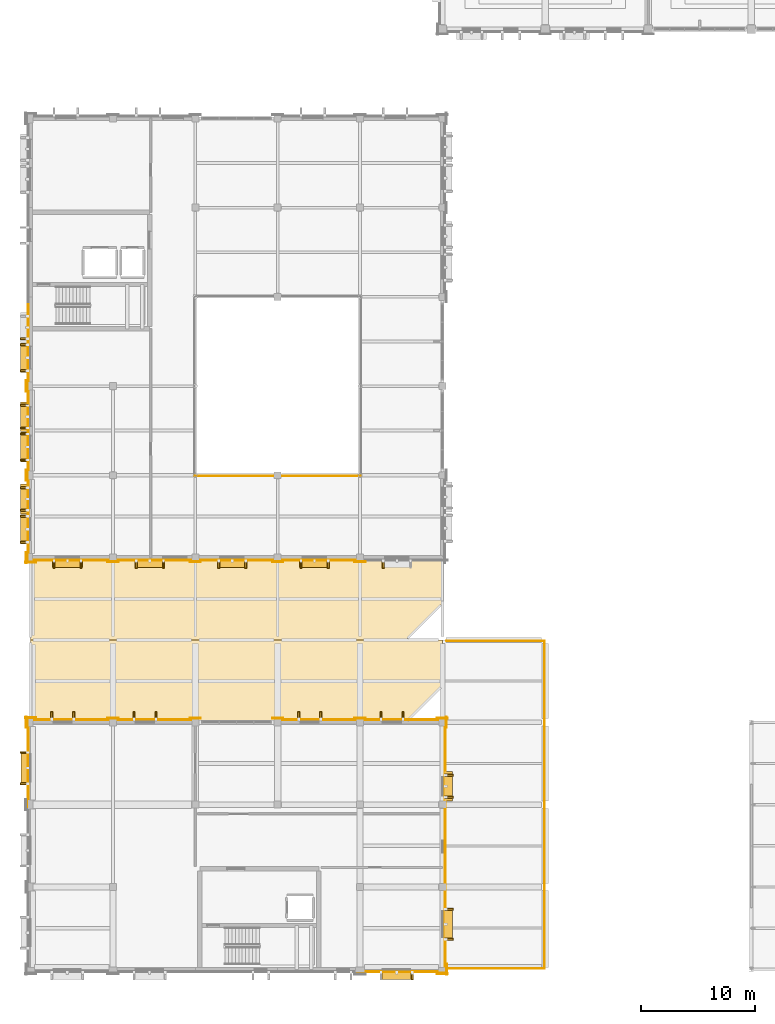
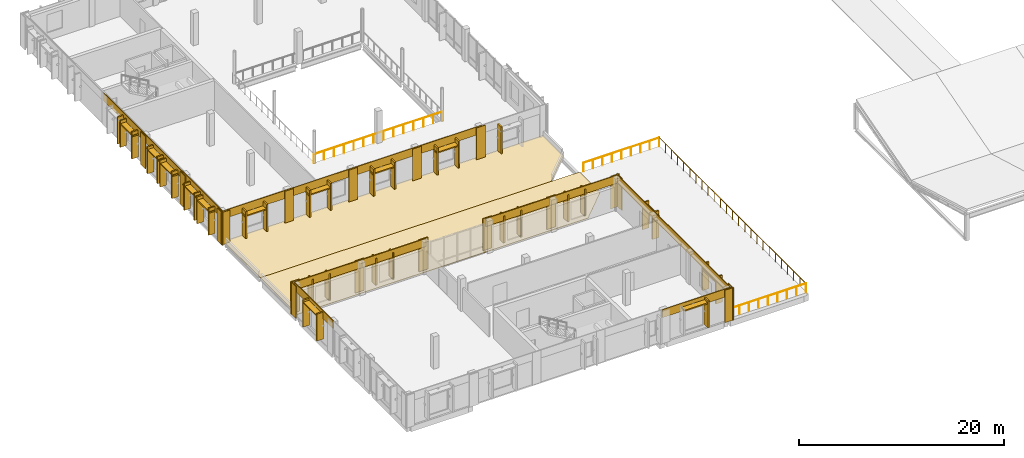
# One storey, part 54 of 64: 48 shading devices, 34 coverings, 4 railings.
"""IFC4 building model written with IfcOpenShell, lengths in metres."""

import ifcopenshell
import ifcopenshell.guid

model = None  # the IFC model being written
_history = None  # IfcOwnerHistory: only IFC2X3 demands one
_inside = {}  # id of a spatial element -> (the spatial element, [elements in it])
_under = {}  # id of a project, library or spatial element -> (it, [spatial elements below it])
_declared = {}  # id of a project -> (the project, [libraries it declares])
_typed = {}  # id of a type object -> (the type object, [elements of that type])
_made_of = {}  # id of a material, layer set ... -> (it, [elements and type objects made of it])


def new_model(schema):
    """Start an empty IFC model of exactly this schema.

    Asked for "IFC4X3", IfcOpenShell would pick the latest addendum, in which some entities
    have other attributes; the version numbers below select the first issue.
    IFC2X3 requires an IfcOwnerHistory on every rooted entity: one is made here for all.
    """
    global model, _history
    if schema == "IFC4X3":
        model = ifcopenshell.file(schema_version=(4, 3, 0, 0))
    else:
        model = ifcopenshell.file(schema=schema)
    _inside.clear()
    _under.clear()
    _declared.clear()
    _typed.clear()
    _made_of.clear()
    _history = None
    if model.schema == "IFC2X3":
        org = make("IfcOrganization", Name="unknown")
        user = make(
            "IfcPersonAndOrganization",
            ThePerson=make("IfcPerson", FamilyName="unknown"),
            TheOrganization=org,
        )
        app = make(
            "IfcApplication",
            ApplicationDeveloper=org,
            Version="unknown",
            ApplicationFullName="unknown",
            ApplicationIdentifier="unknown",
        )
        _history = make(
            "IfcOwnerHistory",
            OwningUser=user,
            OwningApplication=app,
            ChangeAction="ADDED",
            CreationDate=0,
        )
    return model


def make(cls, **values):
    """One entity of the class cls with the attributes given. An attribute that is None is left unset."""
    return model.create_entity(
        cls, **{name: value for name, value in values.items() if value is not None}
    )


def rooted(cls, **values):
    """An entity with a GlobalId (a new one), such as an element, a storey or a relation."""
    return make(cls, GlobalId=ifcopenshell.guid.new(), OwnerHistory=_history, **values)


def si_unit(unit_type, name, prefix=None):
    """IfcSIUnit, for example si_unit("LENGTHUNIT", "METRE", prefix="MILLI")."""
    return make("IfcSIUnit", UnitType=unit_type, Prefix=prefix, Name=name)


def assignment(units):
    """IfcUnitAssignment: the units of a project."""
    return None if units is None else make("IfcUnitAssignment", Units=units)


def point(xyz):
    """IfcCartesianPoint."""
    return None if xyz is None else make("IfcCartesianPoint", Coordinates=xyz)


def direction(xyz):
    """IfcDirection."""
    return None if xyz is None else make("IfcDirection", DirectionRatios=xyz)


def frame(location, z_axis=None, x_axis=None):
    """IfcAxis2Placement3D, a coordinate frame: its origin and axes. An axis left out is left unset."""
    return make(
        "IfcAxis2Placement3D",
        Location=point(location),
        Axis=direction(z_axis),
        RefDirection=direction(x_axis),
    )


def frame_2d(location, x_axis=None):
    """IfcAxis2Placement2D, a coordinate frame in the plane: its origin and x axis."""
    return make(
        "IfcAxis2Placement2D", Location=point(location), RefDirection=direction(x_axis)
    )


def origin():
    """The frame at (0, 0, 0) with its axes left unset."""
    return frame((0.0, 0.0, 0.0))


def origin_2d():
    """The frame at (0, 0) in the plane with its x axis left unset."""
    return frame_2d((0.0, 0.0))


def place(relative_to, where):
    """IfcLocalPlacement: puts the frame where relative to a parent placement (None: the world)."""
    return make(
        "IfcLocalPlacement", PlacementRelTo=relative_to, RelativePlacement=where
    )


def context(
    kind, dimensions, precision=None, world=None, true_north=None, identifier=None
):
    """IfcGeometricRepresentationContext, for example the 3D "Model" context."""
    return make(
        "IfcGeometricRepresentationContext",
        ContextIdentifier=identifier,
        ContextType=kind,
        CoordinateSpaceDimension=dimensions,
        Precision=precision,
        WorldCoordinateSystem=world,
        TrueNorth=true_north,
    )


def subcontext(parent, identifier, kind, view, scale=None):
    """IfcGeometricRepresentationSubContext, for example "Body" below "Model"."""
    return make(
        "IfcGeometricRepresentationSubContext",
        ContextIdentifier=identifier,
        ContextType=kind,
        ParentContext=parent,
        TargetScale=scale,
        TargetView=view,
    )


def project(units=None, contexts=None):
    """IfcProject with its units and contexts."""
    return rooted(
        "IfcProject",
        Name="project",
        RepresentationContexts=contexts,
        UnitsInContext=assignment(units),
    )


def spatial(cls, under=None, at=None, **own):
    """A site, building, storey or space (cls), placed at a placement, below another one or the project."""
    s = rooted(cls, ObjectPlacement=at, **own)
    if under is not None:
        _under.setdefault(under.id(), (under, []))[1].append(s)
    return s


def polyline(points):
    """IfcPolyline through the points."""
    return make("IfcPolyline", Points=[point(p) for p in points])


def profile(cls, at=None, kind="AREA", **sizes):
    """A parametric profile (cls). Its sizes go by their IFC names, for example OverallWidth=200.0."""
    return make(cls, ProfileType=kind, Position=at, **sizes)


def rectangle(**sizes):
    """IfcRectangleProfileDef."""
    return profile("IfcRectangleProfileDef", **sizes)


def circle(**sizes):
    """IfcCircleProfileDef."""
    return profile("IfcCircleProfileDef", **sizes)


def outline(outer, holes=None, kind="AREA"):
    """IfcArbitraryClosedProfileDef: a profile drawn as a closed curve; with holes, ...WithVoids."""
    if holes is None:
        return make("IfcArbitraryClosedProfileDef", ProfileType=kind, OuterCurve=outer)
    return make(
        "IfcArbitraryProfileDefWithVoids",
        ProfileType=kind,
        OuterCurve=outer,
        InnerCurves=holes,
    )


def extrude(swept, where, along, depth):
    """IfcExtrudedAreaSolid: the profile swept, set in the frame where, extruded along a direction by depth."""
    return make(
        "IfcExtrudedAreaSolid",
        SweptArea=swept,
        Position=where,
        ExtrudedDirection=direction(along),
        Depth=depth,
    )


def shape(context_of_items, identifier, shape_type, items):
    """IfcShapeRepresentation: the items that make up one representation, for example the "Body"."""
    return make(
        "IfcShapeRepresentation",
        ContextOfItems=context_of_items,
        RepresentationIdentifier=identifier,
        RepresentationType=shape_type,
        Items=items,
    )


def material(Name=None, Category=None):
    """IfcMaterial."""
    return make("IfcMaterial", Name=Name, Category=Category)


def layer(
    of_material, thickness, ventilated=None, Name=None, Category=None, Priority=None
):
    """IfcMaterialLayer: one layer of a wall or slab, of a material (None: an air gap)."""
    return make(
        "IfcMaterialLayer",
        Material=of_material,
        LayerThickness=thickness,
        IsVentilated=ventilated,
        Name=Name,
        Category=Category,
        Priority=Priority,
    )


def layer_set(layers, Name=None):
    """IfcMaterialLayerSet."""
    return make("IfcMaterialLayerSet", MaterialLayers=layers, LayerSetName=Name)


def made_of(thing, what):
    """Note that an element or type object is made of a material, layer set ...; save() writes the relation."""
    if what is not None:
        _made_of.setdefault(what.id(), (what, []))[1].append(thing)
    return thing


def type_object(cls, material=None, **own):
    """A type object (cls), such as IfcWallType, which elements share."""
    return made_of(rooted(cls, **own), material)


def element(
    cls,
    number,
    at=None,
    inside=None,
    cuts=None,
    type_object=None,
    material=None,
    context=None,
    identifier="Body",
    shape_type=None,
    held_by="IfcProductDefinitionShape",
    body=None,
    shapes=None,
    **own,
):
    """One element of the class cls, such as IfcWall. Its Tag is "e" and its number.

    at: its placement. inside: the storey or other place that contains it. cuts: it is an
    opening in that element (IfcRelVoidsElement). A single representation is given by context,
    identifier, shape_type and body (its items); several are given by shapes. held_by: the class
    of the entity that holds the representations. save() writes the other relations.
    """
    e = rooted(cls, Tag="e%d" % number, ObjectPlacement=at, **own)
    if body is not None:
        shapes = [shape(context, identifier, shape_type, body)]
    if shapes is not None:
        e.Representation = make(held_by, Representations=shapes)
    if inside is not None:
        _inside.setdefault(inside.id(), (inside, []))[1].append(e)
    if cuts is not None:
        rooted(
            "IfcRelVoidsElement", RelatingBuildingElement=cuts, RelatedOpeningElement=e
        )
    if type_object is not None:
        _typed.setdefault(type_object.id(), (type_object, []))[1].append(e)
    return made_of(e, material)


def aggregate(whole, parts):
    """IfcRelAggregates: a whole, such as a stair, and the parts it consists of."""
    return rooted("IfcRelAggregates", RelatingObject=whole, RelatedObjects=parts)


def save(model, path):
    """Write the relations noted so far, then the file.

    IfcRelAggregates (storeys below a building ...), IfcRelContainedInSpatialStructure (elements
    in a storey), IfcRelDefinesByType, IfcRelAssociatesMaterial and IfcRelDeclares: one each for
    every whole, place, type object, material and project.
    """
    for whole, parts in _under.values():
        aggregate(whole, parts)
    for where, things in _inside.values():
        rooted(
            "IfcRelContainedInSpatialStructure",
            RelatedElements=things,
            RelatingStructure=where,
        )
    for kind, things in _typed.values():
        rooted("IfcRelDefinesByType", RelatedObjects=things, RelatingType=kind)
    for what, things in _made_of.values():
        rooted("IfcRelAssociatesMaterial", RelatedObjects=things, RelatingMaterial=what)
    for by, libraries in _declared.values():
        rooted("IfcRelDeclares", RelatingContext=by, RelatedDefinitions=libraries)
    model.write(path)


model = new_model("IFC4")

# Units and contexts
model_context = context("Model", 3, precision=1e-05, world=origin(), true_north=direction((0.0, 1.0)))
body_context = subcontext(model_context, "Body", "Model", "MODEL_VIEW")
ifc_project = project(units=[si_unit("LENGTHUNIT", "METRE"), si_unit("AREAUNIT", "SQUARE_METRE"), si_unit("VOLUMEUNIT", "CUBIC_METRE"), si_unit("PLANEANGLEUNIT", "RADIAN"), si_unit("MASSUNIT", "GRAM", prefix="KILO")], contexts=[model_context])

# Site, building, storey
site_placement = place(None, origin())
site = spatial("IfcSite", under=ifc_project, at=site_placement, CompositionType="ELEMENT")
building_placement = place(site_placement, origin())
building = spatial("IfcBuilding", under=site, at=building_placement, Name="Vervanel Yard Central Library", CompositionType="ELEMENT")
storey_placement = place(building_placement, frame((0.0, 0.0, 8.93994140625)))
storey = spatial("IfcBuildingStorey", under=building, at=storey_placement, Name="L02", CompositionType="ELEMENT", Elevation=8.93994140625)

# Coverings
ifc_material_1 = material(Name="Precast concrete C45/55", Category="concrete")
ifc_layer_1 = layer(ifc_material_1, 0.0849609375, Category="concrete")
ifc_layer_set_1 = layer_set([ifc_layer_1], Name="Precast concrete C45/55")
covering_type_1 = type_object("IfcCoveringType", Name="Bush-Hammered Precast Architectural Cladding Panel", PredefinedType="CLADDING", material=ifc_layer_set_1)
covering_1_placement = place(storey_placement, frame((-0.2099609375, 39.60009765625, 2.91015625), z_axis=(0.0, 0.0, 1.0), x_axis=(0.0, 1.0, 0.0)))
element("IfcCovering", 1, at=covering_1_placement, inside=storey, type_object=covering_type_1, Name="L02 Precast Concrete Spandrel Cornice EWALL-L02-0112", PredefinedType="CLADDING", context=body_context, shape_type="SweptSolid", body=[
    extrude(rectangle(XDim=7.64990234375, YDim=0.0849609375, at=origin_2d()), origin(), (0.0, 0.0, 1.0), 0.949951171875),
])
for number, where, z_axis, x_axis, name in (
    (2, (-0.392578125, 36.0, 0.0), (0.0, 0.0, 1.0), (0.0, 1.0, 0.0), "L02 Precast Concrete Pier Pilaster EWALL-L02-0112-A"),
    (3, (-0.402587890625, 43.199951171875, 0.0), (0.0, 0.0, 1.0), (0.0, 1.0, 0.0), "L02 Precast Concrete Pier Pilaster EWALL-L02-0112-B"),
):
    element("IfcCovering", number, at=place(storey_placement, frame(where, z_axis=z_axis, x_axis=x_axis)), inside=storey, type_object=covering_type_1, Name=name, PredefinedType="CLADDING", context=body_context, shape_type="SweptSolid", body=[
        extrude(rectangle(XDim=0.97998046875, YDim=0.0849609375, at=origin_2d()), origin(), (0.0, 0.0, 1.0), 3.860107421875),
    ])
covering_2_placement = place(storey_placement, frame((-0.2099609375, 47.10009765625, 2.91015625), z_axis=(0.0, 0.0, 1.0), x_axis=(0.0, 1.0, 0.0)))
element("IfcCovering", 4, at=covering_2_placement, inside=storey, type_object=covering_type_1, Name="L02 Precast Concrete Spandrel Cornice EWALL-L02-0113", PredefinedType="CLADDING", context=body_context, shape_type="SweptSolid", body=[
    extrude(rectangle(XDim=8.25, YDim=0.0849609375, at=origin_2d()), origin(), (0.0, 0.0, 1.0), 0.949951171875),
])
covering_3_placement = place(storey_placement, frame((-0.392578125, 51.0, 0.0), z_axis=(0.0, 0.0, 1.0), x_axis=(0.0, 1.0, 0.0)))
element("IfcCovering", 5, at=covering_3_placement, inside=storey, type_object=covering_type_1, Name="L02 Precast Concrete Pier Pilaster EWALL-L02-0113-B", PredefinedType="CLADDING", context=body_context, shape_type="SweptSolid", body=[
    extrude(rectangle(XDim=0.97998046875, YDim=0.0849609375, at=origin_2d()), origin(), (0.0, 0.0, 1.0), 3.860107421875),
])
covering_4_placement = place(storey_placement, frame((-0.2099609375, 54.89990234375, 2.91015625), z_axis=(0.0, 0.0, 1.0), x_axis=(0.0, 1.0, 0.0)))
element("IfcCovering", 6, at=covering_4_placement, inside=storey, type_object=covering_type_1, Name="L02 Precast Concrete Spandrel Cornice EWALL-L02-0114", PredefinedType="CLADDING", context=body_context, shape_type="SweptSolid", body=[
    extrude(rectangle(XDim=8.25, YDim=0.0849609375, at=origin_2d()), origin(), (0.0, 0.0, 1.0), 0.949951171875),
])
covering_5_placement = place(storey_placement, frame((3.60009765625, 35.7900390625, 2.91015625), z_axis=(0.0, 0.0, 1.0), x_axis=(1.0, 0.0, 0.0)))
element("IfcCovering", 7, at=covering_5_placement, inside=storey, type_object=covering_type_1, Name="L02 Precast Concrete Spandrel Cornice EWALL-L02-0121", PredefinedType="CLADDING", context=body_context, shape_type="SweptSolid", body=[
    extrude(rectangle(XDim=7.64990234375, YDim=0.0849609375, at=origin_2d()), origin(), (0.0, 0.0, 1.0), 0.949951171875),
])
for number, where, z_axis, x_axis, name in (
    (8, (0.0, 35.607421875, 0.0), (0.0, 0.0, 1.0), (1.0, 0.0, 0.0), "L02 Precast Concrete Pier Pilaster EWALL-L02-0121-A"),
    (9, (7.199951171875, 35.657470703125, 0.0), (0.0, 0.0, 1.0), (1.0, 0.0, 0.0), "L02 Precast Concrete Pier Pilaster EWALL-L02-0121-B"),
):
    element("IfcCovering", number, at=place(storey_placement, frame(where, z_axis=z_axis, x_axis=x_axis)), inside=storey, type_object=covering_type_1, Name=name, PredefinedType="CLADDING", context=body_context, shape_type="SweptSolid", body=[
        extrude(rectangle(XDim=0.97998046875, YDim=0.0849609375, at=origin_2d()), origin(), (0.0, 0.0, 1.0), 3.860107421875),
    ])
covering_6_placement = place(storey_placement, frame((10.800048828125, 35.7900390625, 2.91015625), z_axis=(0.0, 0.0, 1.0), x_axis=(1.0, 0.0, 0.0)))
element("IfcCovering", 10, at=covering_6_placement, inside=storey, type_object=covering_type_1, Name="L02 Precast Concrete Spandrel Cornice EWALL-L02-0123", PredefinedType="CLADDING", context=body_context, shape_type="SweptSolid", body=[
    extrude(rectangle(XDim=7.64990234375, YDim=0.0849609375, at=origin_2d()), origin(), (0.0, 0.0, 1.0), 0.949951171875),
])
covering_7_placement = place(storey_placement, frame((14.39990234375, 35.657470703125, 0.0), z_axis=(0.0, 0.0, 1.0), x_axis=(1.0, 0.0, 0.0)))
element("IfcCovering", 11, at=covering_7_placement, inside=storey, type_object=covering_type_1, Name="L02 Precast Concrete Pier Pilaster EWALL-L02-0123-B", PredefinedType="CLADDING", context=body_context, shape_type="SweptSolid", body=[
    extrude(rectangle(XDim=0.97998046875, YDim=0.0849609375, at=origin_2d()), origin(), (0.0, 0.0, 1.0), 3.860107421875),
])
covering_8_placement = place(storey_placement, frame((18.0, 35.7900390625, 2.91015625), z_axis=(0.0, 0.0, 1.0), x_axis=(1.0, 0.0, 0.0)))
element("IfcCovering", 12, at=covering_8_placement, inside=storey, type_object=covering_type_1, Name="L02 Precast Concrete Spandrel Cornice EWALL-L02-0124", PredefinedType="CLADDING", context=body_context, shape_type="SweptSolid", body=[
    extrude(rectangle(XDim=7.64990234375, YDim=0.0849609375, at=origin_2d()), origin(), (0.0, 0.0, 1.0), 0.949951171875),
])
covering_9_placement = place(storey_placement, frame((21.60009765625, 35.657470703125, 0.0), z_axis=(0.0, 0.0, 1.0), x_axis=(1.0, 0.0, 0.0)))
element("IfcCovering", 13, at=covering_9_placement, inside=storey, type_object=covering_type_1, Name="L02 Precast Concrete Pier Pilaster EWALL-L02-0124-B", PredefinedType="CLADDING", context=body_context, shape_type="SweptSolid", body=[
    extrude(rectangle(XDim=0.97998046875, YDim=0.0849609375, at=origin_2d()), origin(), (0.0, 0.0, 1.0), 3.860107421875),
])
covering_10_placement = place(storey_placement, frame((25.199951171875, 35.7900390625, 2.91015625), z_axis=(0.0, 0.0, 1.0), x_axis=(1.0, 0.0, 0.0)))
element("IfcCovering", 14, at=covering_10_placement, inside=storey, type_object=covering_type_1, Name="L02 Precast Concrete Spandrel Cornice EWALL-L02-0126", PredefinedType="CLADDING", context=body_context, shape_type="SweptSolid", body=[
    extrude(rectangle(XDim=7.64990234375, YDim=0.0849609375, at=origin_2d()), origin(), (0.0, 0.0, 1.0), 0.949951171875),
])
covering_11_placement = place(storey_placement, frame((28.800048828125, 35.657470703125, 0.0), z_axis=(0.0, 0.0, 1.0), x_axis=(1.0, 0.0, 0.0)))
element("IfcCovering", 15, at=covering_11_placement, inside=storey, type_object=covering_type_1, Name="L02 Precast Concrete Pier Pilaster EWALL-L02-0126-B", PredefinedType="CLADDING", context=body_context, shape_type="SweptSolid", body=[
    extrude(rectangle(XDim=0.97998046875, YDim=0.0849609375, at=origin_2d()), origin(), (0.0, 0.0, 1.0), 3.860107421875),
])
covering_12_placement = place(storey_placement, frame((32.39990234375, -0.2099609375, 2.91015625), z_axis=(0.0, 0.0, 1.0), x_axis=(1.0, 0.0, 0.0)))
element("IfcCovering", 16, at=covering_12_placement, inside=storey, type_object=covering_type_1, Name="L02 Precast Concrete Spandrel Cornice EWALL-L02-0237", PredefinedType="CLADDING", context=body_context, shape_type="SweptSolid", body=[
    extrude(rectangle(XDim=7.64990234375, YDim=0.0849609375, at=origin_2d()), origin(), (0.0, 0.0, 1.0), 0.949951171875),
])
covering_13_placement = place(storey_placement, frame((36.0, -0.392578125, 0.0), z_axis=(0.0, 0.0, 1.0), x_axis=(1.0, 0.0, 0.0)))
element("IfcCovering", 17, at=covering_13_placement, inside=storey, type_object=covering_type_1, Name="L02 Precast Concrete Pier Pilaster EWALL-L02-0237-B", PredefinedType="CLADDING", context=body_context, shape_type="SweptSolid", body=[
    extrude(rectangle(XDim=0.97998046875, YDim=0.0849609375, at=origin_2d()), origin(), (0.0, 0.0, 1.0), 3.860107421875),
])
covering_14_placement = place(storey_placement, frame((-0.18994140625, 18.0, 2.91015625), z_axis=(0.0, 0.0, 1.0), x_axis=(0.0, 1.0, 0.0)))
element("IfcCovering", 18, at=covering_14_placement, inside=storey, type_object=covering_type_1, Name="L02 Precast Concrete Spandrel Cornice EWALL-L02-0240", PredefinedType="CLADDING", context=body_context, shape_type="SweptSolid", body=[
    extrude(rectangle(XDim=7.64990234375, YDim=0.0849609375, at=origin_2d()), origin(), (0.0, 0.0, 1.0), 0.949951171875),
])
covering_15_placement = place(storey_placement, frame((-0.402587890625, 21.60009765625, 0.0), z_axis=(0.0, 0.0, 1.0), x_axis=(0.0, 1.0, 0.0)))
element("IfcCovering", 19, at=covering_15_placement, inside=storey, type_object=covering_type_1, Name="L02 Precast Concrete Pier Pilaster EWALL-L02-0240-B", PredefinedType="CLADDING", context=body_context, shape_type="SweptSolid", body=[
    extrude(rectangle(XDim=0.97998046875, YDim=0.0849609375, at=origin_2d()), origin(), (0.0, 0.0, 1.0), 3.860107421875),
])
covering_16_placement = place(storey_placement, frame((36.239990234375, 10.800048828125, 2.91015625), z_axis=(0.0, 0.0, 1.0), x_axis=(0.0, 1.0, 0.0)))
element("IfcCovering", 20, at=covering_16_placement, inside=storey, type_object=covering_type_1, Name="L02 Precast Concrete Spandrel Cornice EWALL-L02-0241", PredefinedType="CLADDING", context=body_context, shape_type="SweptSolid", body=[
    extrude(rectangle(XDim=22.050048828125, YDim=0.0849609375, at=origin_2d()), origin(), (0.0, 0.0, 1.0), 0.949951171875),
])
for number, where, z_axis, x_axis, name in (
    (21, (36.392578125, 0.0, 0.0), (0.0, 0.0, 1.0), (0.0, 1.0, 0.0), "L02 Precast Concrete Pier Pilaster EWALL-L02-0241-A"),
    (22, (36.342529296875, 21.60009765625, 0.0), (0.0, 0.0, 1.0), (0.0, 1.0, 0.0), "L02 Precast Concrete Pier Pilaster EWALL-L02-0241-B"),
):
    element("IfcCovering", number, at=place(storey_placement, frame(where, z_axis=z_axis, x_axis=x_axis)), inside=storey, type_object=covering_type_1, Name=name, PredefinedType="CLADDING", context=body_context, shape_type="SweptSolid", body=[
        extrude(rectangle(XDim=0.97998046875, YDim=0.0849609375, at=origin_2d()), origin(), (0.0, 0.0, 1.0), 3.860107421875),
    ])
covering_17_placement = place(storey_placement, frame((3.60009765625, 21.840087890625, 2.91015625), z_axis=(0.0, 0.0, 1.0), x_axis=(1.0, 0.0, 0.0)))
element("IfcCovering", 23, at=covering_17_placement, inside=storey, type_object=covering_type_1, Name="L02 Precast Concrete Spandrel Cornice EWALL-L02-0242", PredefinedType="CLADDING", context=body_context, shape_type="SweptSolid", body=[
    extrude(rectangle(XDim=7.64990234375, YDim=0.0849609375, at=origin_2d()), origin(), (0.0, 0.0, 1.0), 0.949951171875),
])
for number, where, z_axis, x_axis, name in (
    (24, (0.0, 22.00244140625, 0.0), (0.0, 0.0, 1.0), (1.0, 0.0, 0.0), "L02 Precast Concrete Pier Pilaster EWALL-L02-0242-A"),
    (25, (7.199951171875, 21.9423828125, 0.0), (0.0, 0.0, 1.0), (1.0, 0.0, 0.0), "L02 Precast Concrete Pier Pilaster EWALL-L02-0242-B"),
):
    element("IfcCovering", number, at=place(storey_placement, frame(where, z_axis=z_axis, x_axis=x_axis)), inside=storey, type_object=covering_type_1, Name=name, PredefinedType="CLADDING", context=body_context, shape_type="SweptSolid", body=[
        extrude(rectangle(XDim=0.97998046875, YDim=0.0849609375, at=origin_2d()), origin(), (0.0, 0.0, 1.0), 3.860107421875),
    ])
covering_18_placement = place(storey_placement, frame((10.800048828125, 21.840087890625, 2.91015625), z_axis=(0.0, 0.0, 1.0), x_axis=(1.0, 0.0, 0.0)))
element("IfcCovering", 26, at=covering_18_placement, inside=storey, type_object=covering_type_1, Name="L02 Precast Concrete Spandrel Cornice EWALL-L02-0243", PredefinedType="CLADDING", context=body_context, shape_type="SweptSolid", body=[
    extrude(rectangle(XDim=7.64990234375, YDim=0.0849609375, at=origin_2d()), origin(), (0.0, 0.0, 1.0), 0.949951171875),
])
covering_19_placement = place(storey_placement, frame((14.39990234375, 21.9423828125, 0.0), z_axis=(0.0, 0.0, 1.0), x_axis=(1.0, 0.0, 0.0)))
element("IfcCovering", 27, at=covering_19_placement, inside=storey, type_object=covering_type_1, Name="L02 Precast Concrete Pier Pilaster EWALL-L02-0243-B", PredefinedType="CLADDING", context=body_context, shape_type="SweptSolid", body=[
    extrude(rectangle(XDim=0.97998046875, YDim=0.0849609375, at=origin_2d()), origin(), (0.0, 0.0, 1.0), 3.860107421875),
])
covering_20_placement = place(storey_placement, frame((25.199951171875, 21.840087890625, 2.91015625), z_axis=(0.0, 0.0, 1.0), x_axis=(1.0, 0.0, 0.0)))
element("IfcCovering", 28, at=covering_20_placement, inside=storey, type_object=covering_type_1, Name="L02 Precast Concrete Spandrel Cornice EWALL-L02-0244", PredefinedType="CLADDING", context=body_context, shape_type="SweptSolid", body=[
    extrude(rectangle(XDim=7.64990234375, YDim=0.0849609375, at=origin_2d()), origin(), (0.0, 0.0, 1.0), 0.949951171875),
])
for number, where, z_axis, x_axis, name in (
    (29, (21.60009765625, 21.9423828125, 0.0), (0.0, 0.0, 1.0), (1.0, 0.0, 0.0), "L02 Precast Concrete Pier Pilaster EWALL-L02-0244-A"),
    (30, (28.800048828125, 21.9423828125, 0.0), (0.0, 0.0, 1.0), (1.0, 0.0, 0.0), "L02 Precast Concrete Pier Pilaster EWALL-L02-0244-B"),
):
    element("IfcCovering", number, at=place(storey_placement, frame(where, z_axis=z_axis, x_axis=x_axis)), inside=storey, type_object=covering_type_1, Name=name, PredefinedType="CLADDING", context=body_context, shape_type="SweptSolid", body=[
        extrude(rectangle(XDim=0.97998046875, YDim=0.0849609375, at=origin_2d()), origin(), (0.0, 0.0, 1.0), 3.860107421875),
    ])
covering_21_placement = place(storey_placement, frame((32.39990234375, 21.840087890625, 2.91015625), z_axis=(0.0, 0.0, 1.0), x_axis=(1.0, 0.0, 0.0)))
element("IfcCovering", 31, at=covering_21_placement, inside=storey, type_object=covering_type_1, Name="L02 Precast Concrete Spandrel Cornice EWALL-L02-0245", PredefinedType="CLADDING", context=body_context, shape_type="SweptSolid", body=[
    extrude(rectangle(XDim=7.64990234375, YDim=0.0849609375, at=origin_2d()), origin(), (0.0, 0.0, 1.0), 0.949951171875),
])
covering_22_placement = place(storey_placement, frame((36.0, 21.9423828125, 0.0), z_axis=(0.0, 0.0, 1.0), x_axis=(1.0, 0.0, 0.0)))
element("IfcCovering", 32, at=covering_22_placement, inside=storey, type_object=covering_type_1, Name="L02 Precast Concrete Pier Pilaster EWALL-L02-0245-B", PredefinedType="CLADDING", context=body_context, shape_type="SweptSolid", body=[
    extrude(rectangle(XDim=0.97998046875, YDim=0.0849609375, at=origin_2d()), origin(), (0.0, 0.0, 1.0), 3.860107421875),
])

# Railings
ifc_material_2 = material(Name="Brushed stainless steel AISI 316", Category="steel")
railing_type_1 = type_object("IfcRailingType", Name="Exterior Terrace Guardrail 1100", PredefinedType="GUARDRAIL", material=ifc_material_2)
railing_1_placement = place(storey_placement, frame((36.3798828125, 0.080078125, 0.0)))
element("IfcRailing", 33, at=railing_1_placement, inside=storey, type_object=railing_type_1, Name="L02 L02 Southwest Planted Reading Roof Terrace Edge Guard 21", PredefinedType="GUARDRAIL", context=body_context, shape_type="SweptSolid", body=[
    extrude(circle(Radius=0.02392578125, at=origin_2d()), frame((0.0, 0.0, 1.076171875), z_axis=(1.0, 0.0, 0.0), x_axis=(0.0, 1.0, 0.0)), (0.0, 0.0, 1.0), 8.5400390625),
    extrude(circle(Radius=0.02099609375, at=origin_2d()), origin(), (0.0, 0.0, 1.0), 1.052001953125),
    extrude(circle(Radius=0.02099609375, at=origin_2d()), frame((1.0673828125, 0.0, 0.0)), (0.0, 0.0, 1.0), 1.052001953125),
    extrude(circle(Radius=0.02099609375, at=origin_2d()), frame((2.135009765625, 0.0, 0.0)), (0.0, 0.0, 1.0), 1.052001953125),
    extrude(circle(Radius=0.02099609375, at=origin_2d()), frame((3.20263671875, 0.0, 0.0)), (0.0, 0.0, 1.0), 1.052001953125),
    extrude(circle(Radius=0.02099609375, at=origin_2d()), frame((4.27001953125, 0.0, 0.0)), (0.0, 0.0, 1.0), 1.052001953125),
    extrude(circle(Radius=0.02099609375, at=origin_2d()), frame((5.33740234375, 0.0, 0.0)), (0.0, 0.0, 1.0), 1.052001953125),
    extrude(circle(Radius=0.02099609375, at=origin_2d()), frame((6.405029296875, 0.0, 0.0)), (0.0, 0.0, 1.0), 1.052001953125),
    extrude(circle(Radius=0.02099609375, at=origin_2d()), frame((7.47265625, 0.0, 0.0)), (0.0, 0.0, 1.0), 1.052001953125),
    extrude(circle(Radius=0.02099609375, at=origin_2d()), frame((8.5400390625, 0.0, 0.0)), (0.0, 0.0, 1.0), 1.052001953125),
])
railing_2_placement = place(storey_placement, frame((44.919921875, 0.080078125, 0.0)))
element("IfcRailing", 34, at=railing_2_placement, inside=storey, type_object=railing_type_1, Name="L02 L02 Southwest Planted Reading Roof Terrace Edge Guard 22", PredefinedType="GUARDRAIL", context=body_context, shape_type="SweptSolid", body=[
    extrude(circle(Radius=0.02392578125, at=origin_2d()), frame((0.0, 0.0, 1.076171875), z_axis=(0.0, 1.0, 0.0), x_axis=(-1.0, 0.0, 0.0)), (0.0, 0.0, 1.0), 28.639892578125),
    extrude(circle(Radius=0.02099609375, at=origin_2d()), origin(), (0.0, 0.0, 1.0), 1.052001953125),
    extrude(circle(Radius=0.02099609375, at=origin_2d()), frame((0.0, 1.193359375, 0.0)), (0.0, 0.0, 1.0), 1.052001953125),
    extrude(circle(Radius=0.02099609375, at=origin_2d()), frame((0.0, 2.38671875, 0.0)), (0.0, 0.0, 1.0), 1.052001953125),
    extrude(circle(Radius=0.02099609375, at=origin_2d()), frame((0.0, 3.580078125, 0.0)), (0.0, 0.0, 1.0), 1.052001953125),
    extrude(circle(Radius=0.02099609375, at=origin_2d()), frame((0.0, 4.7734375, 0.0)), (0.0, 0.0, 1.0), 1.052001953125),
    extrude(circle(Radius=0.02099609375, at=origin_2d()), frame((0.0, 5.966552734375, 0.0)), (0.0, 0.0, 1.0), 1.052001953125),
    extrude(circle(Radius=0.02099609375, at=origin_2d()), frame((0.0, 7.159912109375, 0.0)), (0.0, 0.0, 1.0), 1.052001953125),
    extrude(circle(Radius=0.02099609375, at=origin_2d()), frame((0.0, 8.353271484375, 0.0)), (0.0, 0.0, 1.0), 1.052001953125),
    extrude(circle(Radius=0.02099609375, at=origin_2d()), frame((0.0, 9.546630859375, 0.0)), (0.0, 0.0, 1.0), 1.052001953125),
    extrude(circle(Radius=0.02099609375, at=origin_2d()), frame((0.0, 10.739990234375, 0.0)), (0.0, 0.0, 1.0), 1.052001953125),
    extrude(circle(Radius=0.02099609375, at=origin_2d()), frame((0.0, 11.933349609375, 0.0)), (0.0, 0.0, 1.0), 1.052001953125),
    extrude(circle(Radius=0.02099609375, at=origin_2d()), frame((0.0, 13.126708984375, 0.0)), (0.0, 0.0, 1.0), 1.052001953125),
    extrude(circle(Radius=0.02099609375, at=origin_2d()), frame((0.0, 14.31982421875, 0.0)), (0.0, 0.0, 1.0), 1.052001953125),
    extrude(circle(Radius=0.02099609375, at=origin_2d()), frame((0.0, 15.51318359375, 0.0)), (0.0, 0.0, 1.0), 1.052001953125),
    extrude(circle(Radius=0.02099609375, at=origin_2d()), frame((0.0, 16.70654296875, 0.0)), (0.0, 0.0, 1.0), 1.052001953125),
    extrude(circle(Radius=0.02099609375, at=origin_2d()), frame((0.0, 17.89990234375, 0.0)), (0.0, 0.0, 1.0), 1.052001953125),
    extrude(circle(Radius=0.02099609375, at=origin_2d()), frame((0.0, 19.09326171875, 0.0)), (0.0, 0.0, 1.0), 1.052001953125),
    extrude(circle(Radius=0.02099609375, at=origin_2d()), frame((0.0, 20.28662109375, 0.0)), (0.0, 0.0, 1.0), 1.052001953125),
    extrude(circle(Radius=0.02099609375, at=origin_2d()), frame((0.0, 21.47998046875, 0.0)), (0.0, 0.0, 1.0), 1.052001953125),
    extrude(circle(Radius=0.02099609375, at=origin_2d()), frame((0.0, 22.67333984375, 0.0)), (0.0, 0.0, 1.0), 1.052001953125),
    extrude(circle(Radius=0.02099609375, at=origin_2d()), frame((0.0, 23.86669921875, 0.0)), (0.0, 0.0, 1.0), 1.052001953125),
    extrude(circle(Radius=0.02099609375, at=origin_2d()), frame((0.0, 25.059814453125, 0.0)), (0.0, 0.0, 1.0), 1.052001953125),
    extrude(circle(Radius=0.02099609375, at=origin_2d()), frame((0.0, 26.253173828125, 0.0)), (0.0, 0.0, 1.0), 1.052001953125),
    extrude(circle(Radius=0.02099609375, at=origin_2d()), frame((0.0, 27.446533203125, 0.0)), (0.0, 0.0, 1.0), 1.052001953125),
    extrude(circle(Radius=0.02099609375, at=origin_2d()), frame((0.0, 28.639892578125, 0.0)), (0.0, 0.0, 1.0), 1.052001953125),
])
railing_3_placement = place(storey_placement, frame((36.3798828125, 28.719970703125, 0.0)))
element("IfcRailing", 35, at=railing_3_placement, inside=storey, type_object=railing_type_1, Name="L02 L02 Southwest Planted Reading Roof Terrace Edge Guard 23", PredefinedType="GUARDRAIL", context=body_context, shape_type="SweptSolid", body=[
    extrude(circle(Radius=0.02392578125, at=origin_2d()), frame((0.0, 0.0, 1.076171875), z_axis=(1.0, 0.0, 0.0), x_axis=(0.0, 1.0, 0.0)), (0.0, 0.0, 1.0), 8.5400390625),
    extrude(circle(Radius=0.02099609375, at=origin_2d()), origin(), (0.0, 0.0, 1.0), 1.052001953125),
    extrude(circle(Radius=0.02099609375, at=origin_2d()), frame((1.0673828125, 0.0, 0.0)), (0.0, 0.0, 1.0), 1.052001953125),
    extrude(circle(Radius=0.02099609375, at=origin_2d()), frame((2.135009765625, 0.0, 0.0)), (0.0, 0.0, 1.0), 1.052001953125),
    extrude(circle(Radius=0.02099609375, at=origin_2d()), frame((3.20263671875, 0.0, 0.0)), (0.0, 0.0, 1.0), 1.052001953125),
    extrude(circle(Radius=0.02099609375, at=origin_2d()), frame((4.27001953125, 0.0, 0.0)), (0.0, 0.0, 1.0), 1.052001953125),
    extrude(circle(Radius=0.02099609375, at=origin_2d()), frame((5.33740234375, 0.0, 0.0)), (0.0, 0.0, 1.0), 1.052001953125),
    extrude(circle(Radius=0.02099609375, at=origin_2d()), frame((6.405029296875, 0.0, 0.0)), (0.0, 0.0, 1.0), 1.052001953125),
    extrude(circle(Radius=0.02099609375, at=origin_2d()), frame((7.47265625, 0.0, 0.0)), (0.0, 0.0, 1.0), 1.052001953125),
    extrude(circle(Radius=0.02099609375, at=origin_2d()), frame((8.5400390625, 0.0, 0.0)), (0.0, 0.0, 1.0), 1.052001953125),
])
railing_type_2 = type_object("IfcRailingType", Name="Glazed Atrium & Gallery Balustrade 1120", PredefinedType="BALUSTRADE", material=ifc_material_2)
railing_4_placement = place(storey_placement, frame((14.320068359375, 43.1201171875, 0.0)))
element("IfcRailing", 36, at=railing_4_placement, inside=storey, type_object=railing_type_2, Name="L02 Void Guard ATRIUM-GD-L02 S", PredefinedType="BALUSTRADE", context=body_context, shape_type="SweptSolid", body=[
    extrude(circle(Radius=0.02392578125, at=origin_2d()), frame((0.0, 0.0, 1.09619140625), z_axis=(1.0, 0.0, 0.0), x_axis=(0.0, 1.0, 0.0)), (0.0, 0.0, 1.0), 14.559814453125),
    extrude(circle(Radius=0.02099609375, at=origin_2d()), origin(), (0.0, 0.0, 1.0), 1.072021484375),
    extrude(circle(Radius=0.02099609375, at=origin_2d()), frame((1.119873046875, 0.0, 0.0)), (0.0, 0.0, 1.0), 1.072021484375),
    extrude(circle(Radius=0.02099609375, at=origin_2d()), frame((2.239990234375, 0.0, 0.0)), (0.0, 0.0, 1.0), 1.072021484375),
    extrude(circle(Radius=0.02099609375, at=origin_2d()), frame((3.35986328125, 0.0, 0.0)), (0.0, 0.0, 1.0), 1.072021484375),
    extrude(circle(Radius=0.02099609375, at=origin_2d()), frame((4.47998046875, 0.0, 0.0)), (0.0, 0.0, 1.0), 1.072021484375),
    extrude(circle(Radius=0.02099609375, at=origin_2d()), frame((5.599853515625, 0.0, 0.0)), (0.0, 0.0, 1.0), 1.072021484375),
    extrude(circle(Radius=0.02099609375, at=origin_2d()), frame((6.719970703125, 0.0, 0.0)), (0.0, 0.0, 1.0), 1.072021484375),
    extrude(circle(Radius=0.02099609375, at=origin_2d()), frame((7.83984375, 0.0, 0.0)), (0.0, 0.0, 1.0), 1.072021484375),
    extrude(circle(Radius=0.02099609375, at=origin_2d()), frame((8.9599609375, 0.0, 0.0)), (0.0, 0.0, 1.0), 1.072021484375),
    extrude(circle(Radius=0.02099609375, at=origin_2d()), frame((10.079833984375, 0.0, 0.0)), (0.0, 0.0, 1.0), 1.072021484375),
    extrude(circle(Radius=0.02099609375, at=origin_2d()), frame((11.199951171875, 0.0, 0.0)), (0.0, 0.0, 1.0), 1.072021484375),
    extrude(circle(Radius=0.02099609375, at=origin_2d()), frame((12.31982421875, 0.0, 0.0)), (0.0, 0.0, 1.0), 1.072021484375),
    extrude(circle(Radius=0.02099609375, at=origin_2d()), frame((13.43994140625, 0.0, 0.0)), (0.0, 0.0, 1.0), 1.072021484375),
    extrude(circle(Radius=0.02099609375, at=origin_2d()), frame((14.559814453125, 0.0, 0.0)), (0.0, 0.0, 1.0), 1.072021484375),
])

# Shading devices
shading_device_type_1 = type_object("IfcShadingDeviceType", Name="Horizontal Precast Brise-Soleil Sunhood 2600x680x140", PredefinedType="JALOUSIE", material=ifc_material_1)
for number, where, z_axis, x_axis, name in (
    (37, (-0.5400390625, 38.47509765625, 2.97998046875), (0.0, 0.0, 1.0), (0.0, 1.0, 0.0), "L02 Precast Horizontal Sunhood 54"),
    (38, (-0.5400390625, 41.125, 3.1298828125), (0.0, 0.0, 1.0), (0.0, 1.0, 0.0), "L02 Precast Horizontal Sunhood 55"),
    (39, (-0.5400390625, 45.675048828125, 2.97998046875), (0.0, 0.0, 1.0), (0.0, 1.0, 0.0), "L02 Precast Horizontal Sunhood 56"),
    (40, (-0.5400390625, 48.324951171875, 3.1298828125), (0.0, 0.0, 1.0), (0.0, 1.0, 0.0), "L02 Precast Horizontal Sunhood 57"),
    (41, (-0.5400390625, 53.47509765625, 2.97998046875), (0.0, 0.0, 1.0), (0.0, 1.0, 0.0), "L02 Precast Horizontal Sunhood 58"),
    (42, (3.22509765625, 35.4599609375, 2.7802734375), (0.0, 0.0, 1.0), (1.0, 0.0, 0.0), "L02 Precast Horizontal Sunhood 68"),
    (43, (10.425048828125, 35.4599609375, 2.7802734375), (0.0, 0.0, 1.0), (1.0, 0.0, 0.0), "L02 Precast Horizontal Sunhood 69"),
    (44, (17.625, 35.4599609375, 2.7802734375), (0.0, 0.0, 1.0), (1.0, 0.0, 0.0), "L02 Precast Horizontal Sunhood 70"),
    (45, (24.824951171875, 35.4599609375, 2.7802734375), (0.0, 0.0, 1.0), (1.0, 0.0, 0.0), "L02 Precast Horizontal Sunhood 71"),
    (46, (32.0, -0.5400390625, 3.2802734375), (0.0, 0.0, 1.0), (1.0, 0.0, 0.0), "L02 Precast Horizontal Sunhood 136"),
    (47, (-0.52001953125, 17.60009765625, 3.330078125), (0.0, 0.0, 1.0), (0.0, 1.0, 0.0), "L02 Precast Horizontal Sunhood 139"),
    (48, (36.5400390625, 3.949951171875, 2.6298828125), (0.0, 0.0, 1.0), (0.0, 1.0, 0.0), "L02 Precast Horizontal Sunhood 140"),
    (49, (36.5400390625, 16.0, 2.97998046875), (0.0, 0.0, 1.0), (0.0, 1.0, 0.0), "L02 Precast Horizontal Sunhood 141"),
):
    element("IfcShadingDevice", number, at=place(storey_placement, frame(where, z_axis=z_axis, x_axis=x_axis)), inside=storey, type_object=shading_device_type_1, Name=name, PredefinedType="JALOUSIE", context=body_context, shape_type="SweptSolid", body=[
        extrude(rectangle(XDim=2.60009765625, YDim=0.679931640625, at=origin_2d()), origin(), (0.0, 0.0, 1.0), 0.139892578125),
    ])

# Coverings
ifc_material_3 = material(Name="Standing-seam dark zinc-coated metal roofing", Category="metal")
ifc_layer_2 = layer(ifc_material_3, 0.06494140625, Category="metal")
ifc_layer_set_2 = layer_set([ifc_layer_2], Name="Standing-seam dark zinc-coated metal roofing")
covering_type_2 = type_object("IfcCoveringType", Name="Standing-Seam Dark Zinc Roof Assembly", PredefinedType="ROOFING", material=ifc_layer_set_2)
covering_23_placement = place(storey_placement, origin())
element("IfcCovering", 50, at=covering_23_placement, inside=storey, type_object=covering_type_2, Name="L02 Roof Covering ROOF-L02-V2S", PredefinedType="ROOFING", context=body_context, shape_type="SweptSolid", body=[
    extrude(outline(polyline([(0.0, 28.800048828125), (32.800048828125, 28.800048828125), (36.0, 32.0), (36.0, 36.0), (0.0, 36.0), (0.0, 28.800048828125)])), origin(), (0.0, 0.0, 1.0), 0.06494140625),
])
covering_24_placement = place(storey_placement, origin())
element("IfcCovering", 51, at=covering_24_placement, inside=storey, type_object=covering_type_2, Name="L02 Roof Covering ROOF-L02-V6N", PredefinedType="ROOFING", context=body_context, shape_type="SweptSolid", body=[
    extrude(outline(polyline([(0.0, 21.60009765625), (32.800048828125, 21.60009765625), (36.0, 24.800048828125), (36.0, 28.800048828125), (0.0, 28.800048828125), (0.0, 21.60009765625)])), origin(), (0.0, 0.0, 1.0), 0.06494140625),
])

# Shading devices
shading_device_type_2 = type_object("IfcShadingDeviceType", Name="Vertical Precast Solar Fin 160x720x3200", PredefinedType="JALOUSIE", material=ifc_material_1)
for number, where, z_axis, x_axis, name in (
    (52, (-0.570068359375, 37.340087890625, 0.30029296875), (0.0, 0.0, 1.0), (0.0, 1.0, 0.0), "L02 Precast Solar Fin 307"),
    (53, (-0.570068359375, 39.610107421875, 0.30029296875), (0.0, 0.0, 1.0), (0.0, 1.0, 0.0), "L02 Precast Solar Fin 308"),
    (54, (-0.570068359375, 40.139892578125, 0.375), (0.0, 0.0, 1.0), (0.0, 1.0, 0.0), "L02 Precast Solar Fin 309"),
    (55, (-0.570068359375, 42.110107421875, 0.375), (0.0, 0.0, 1.0), (0.0, 1.0, 0.0), "L02 Precast Solar Fin 310"),
    (56, (-0.570068359375, 44.5400390625, 0.30029296875), (0.0, 0.0, 1.0), (0.0, 1.0, 0.0), "L02 Precast Solar Fin 311"),
    (57, (-0.570068359375, 46.81005859375, 0.30029296875), (0.0, 0.0, 1.0), (0.0, 1.0, 0.0), "L02 Precast Solar Fin 312"),
    (58, (-0.570068359375, 47.340087890625, 0.375), (0.0, 0.0, 1.0), (0.0, 1.0, 0.0), "L02 Precast Solar Fin 313"),
    (59, (-0.570068359375, 49.31005859375, 0.375), (0.0, 0.0, 1.0), (0.0, 1.0, 0.0), "L02 Precast Solar Fin 314"),
    (60, (-0.570068359375, 52.340087890625, 0.30029296875), (0.0, 0.0, 1.0), (0.0, 1.0, 0.0), "L02 Precast Solar Fin 315"),
    (61, (-0.570068359375, 54.610107421875, 0.30029296875), (0.0, 0.0, 1.0), (0.0, 1.0, 0.0), "L02 Precast Solar Fin 316"),
    (62, (-0.570068359375, 55.139892578125, 0.375), (0.0, 0.0, 1.0), (0.0, 1.0, 0.0), "L02 Precast Solar Fin 317"),
    (63, (2.0400390625, 35.429931640625, 0.22509765625), (0.0, 0.0, 1.0), (1.0, 0.0, 0.0), "L02 Precast Solar Fin 341"),
    (64, (4.409912109375, 35.429931640625, 0.22509765625), (0.0, 0.0, 1.0), (1.0, 0.0, 0.0), "L02 Precast Solar Fin 342"),
    (65, (9.239990234375, 35.429931640625, 0.22509765625), (0.0, 0.0, 1.0), (1.0, 0.0, 0.0), "L02 Precast Solar Fin 345"),
    (66, (11.610107421875, 35.429931640625, 0.22509765625), (0.0, 0.0, 1.0), (1.0, 0.0, 0.0), "L02 Precast Solar Fin 346"),
    (67, (16.43994140625, 35.429931640625, 0.22509765625), (0.0, 0.0, 1.0), (1.0, 0.0, 0.0), "L02 Precast Solar Fin 347"),
    (68, (18.81005859375, 35.429931640625, 0.22509765625), (0.0, 0.0, 1.0), (1.0, 0.0, 0.0), "L02 Precast Solar Fin 348"),
    (69, (23.639892578125, 35.429931640625, 0.22509765625), (0.0, 0.0, 1.0), (1.0, 0.0, 0.0), "L02 Precast Solar Fin 351"),
    (70, (26.010009765625, 35.429931640625, 0.22509765625), (0.0, 0.0, 1.0), (1.0, 0.0, 0.0), "L02 Precast Solar Fin 352"),
    (71, (30.840087890625, 35.429931640625, 0.22509765625), (0.0, 0.0, 1.0), (1.0, 0.0, 0.0), "L02 Precast Solar Fin 355"),
    (72, (33.360107421875, -0.570068359375, 0.4501953125), (0.0, 0.0, 1.0), (1.0, 0.0, 0.0), "L02 Precast Solar Fin 668"),
    (73, (-0.550048828125, 16.239990234375, 0.5), (0.0, 0.0, 1.0), (0.0, 1.0, 0.0), "L02 Precast Solar Fin 673"),
    (74, (-0.550048828125, 18.9599609375, 0.5), (0.0, 0.0, 1.0), (0.0, 1.0, 0.0), "L02 Precast Solar Fin 674"),
    (75, (36.570068359375, 2.639892578125, 0.14990234375), (0.0, 0.0, 1.0), (0.0, 1.0, 0.0), "L02 Precast Solar Fin 675"),
    (76, (36.570068359375, 5.260009765625, 0.14990234375), (0.0, 0.0, 1.0), (0.0, 1.0, 0.0), "L02 Precast Solar Fin 676"),
    (77, (36.570068359375, 15.0400390625, 0.3251953125), (0.0, 0.0, 1.0), (0.0, 1.0, 0.0), "L02 Precast Solar Fin 677"),
    (78, (36.570068359375, 16.9599609375, 0.3251953125), (0.0, 0.0, 1.0), (0.0, 1.0, 0.0), "L02 Precast Solar Fin 678"),
    (79, (1.840087890625, 22.14990234375, 0.27490234375), (0.0, 0.0, 1.0), (1.0, 0.0, 0.0), "L02 Precast Solar Fin 679"),
    (80, (3.760009765625, 22.14990234375, 0.27490234375), (0.0, 0.0, 1.0), (1.0, 0.0, 0.0), "L02 Precast Solar Fin 680"),
    (81, (9.0400390625, 22.14990234375, 0.27490234375), (0.0, 0.0, 1.0), (1.0, 0.0, 0.0), "L02 Precast Solar Fin 681"),
    (82, (10.9599609375, 22.14990234375, 0.27490234375), (0.0, 0.0, 1.0), (1.0, 0.0, 0.0), "L02 Precast Solar Fin 682"),
    (83, (23.43994140625, 22.14990234375, 0.27490234375), (0.0, 0.0, 1.0), (1.0, 0.0, 0.0), "L02 Precast Solar Fin 683"),
    (84, (25.360107421875, 22.14990234375, 0.27490234375), (0.0, 0.0, 1.0), (1.0, 0.0, 0.0), "L02 Precast Solar Fin 684"),
    (85, (30.639892578125, 22.14990234375, 0.27490234375), (0.0, 0.0, 1.0), (1.0, 0.0, 0.0), "L02 Precast Solar Fin 685"),
    (86, (32.56005859375, 22.14990234375, 0.27490234375), (0.0, 0.0, 1.0), (1.0, 0.0, 0.0), "L02 Precast Solar Fin 686"),
):
    element("IfcShadingDevice", number, at=place(storey_placement, frame(where, z_axis=z_axis, x_axis=x_axis)), inside=storey, type_object=shading_device_type_2, Name=name, PredefinedType="JALOUSIE", context=body_context, shape_type="SweptSolid", body=[
        extrude(rectangle(XDim=0.159912109375, YDim=0.719970703125, at=origin_2d()), origin(), (0.0, 0.0, 1.0), 3.199951171875),
    ])

save(model, "model.ifc")
